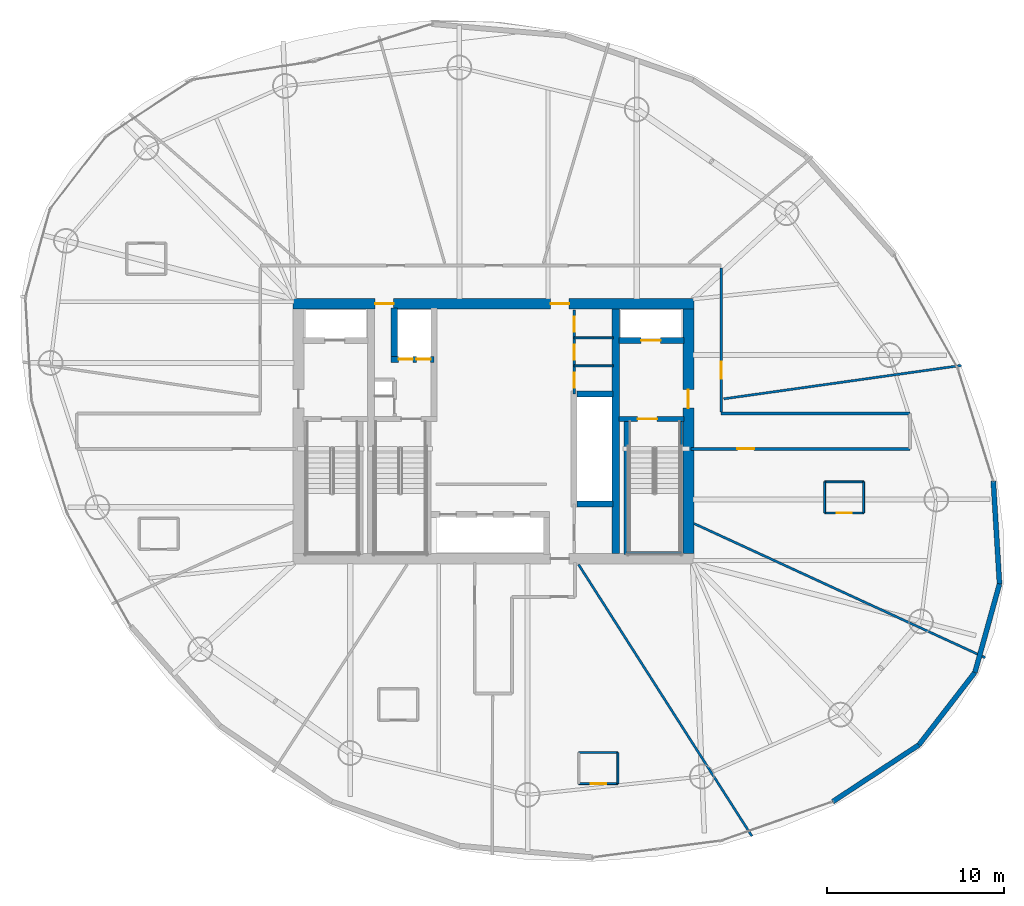
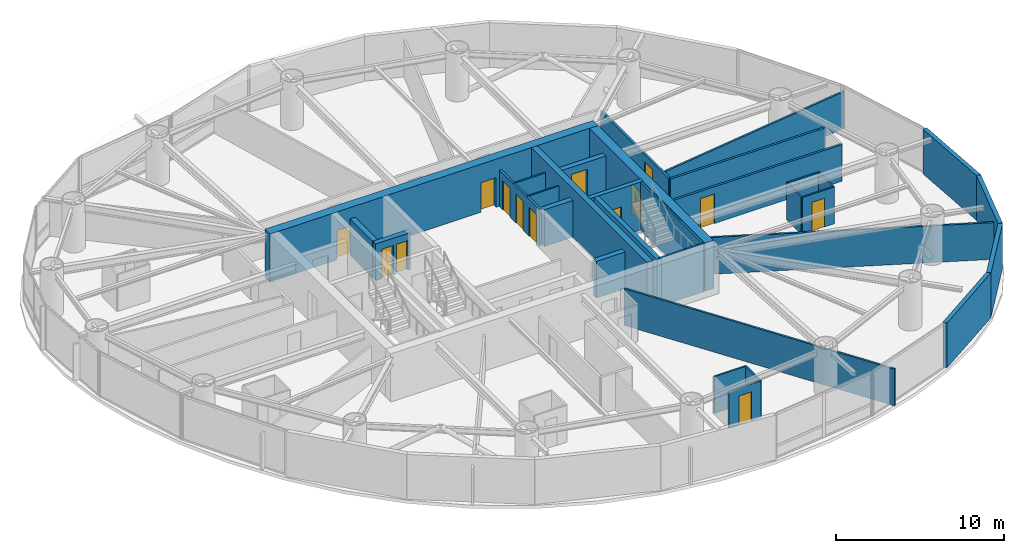
# One storey, part 18 of 22: 32 walls, 14 doors, 14 openings.
"""IFC4 building model written with IfcOpenShell, lengths in metres."""

from ifc_helpers import new_model, si_unit, direction, frame, frame_2d, origin, place, context, subcontext, project, spatial, rectangle, extrude, material, layer, layer_set, type_object, element, fill, save


model = new_model("IFC4")

# Units and contexts
model_context = context("Model", 3, precision=1e-05, world=origin(), true_north=direction((0.0, 1.0)))
body_context = subcontext(model_context, "Body", "Model", "MODEL_VIEW")
ifc_project = project(units=[si_unit("LENGTHUNIT", "METRE"), si_unit("AREAUNIT", "SQUARE_METRE"), si_unit("VOLUMEUNIT", "CUBIC_METRE"), si_unit("PLANEANGLEUNIT", "RADIAN"), si_unit("MASSUNIT", "GRAM", prefix="KILO")], contexts=[model_context])

# Site, building, storey
site_placement = place(None, origin())
site = spatial("IfcSite", under=ifc_project, at=site_placement, CompositionType="ELEMENT")
building_placement = place(site_placement, origin())
building = spatial("IfcBuilding", under=site, at=building_placement, Name="Bramvorn Convention Spire", CompositionType="ELEMENT")
storey_placement = place(building_placement, frame((0.0, 0.0, 137.800048828125)))
storey = spatial("IfcBuildingStorey", under=building, at=storey_placement, Name="L34", CompositionType="ELEMENT", Elevation=137.800048828125)

# Wall, openings, doors
ifc_material_1 = material(Name="Concrete C60/70", Category="concrete")
ifc_layer_1 = layer(ifc_material_1, 0.60009765625)
ifc_layer_set_1 = layer_set([ifc_layer_1], Name="Concrete C60/70 - WL-CORE-600")
wall_type_1 = type_object("IfcWallType", Name="WL-CORE-600", PredefinedType="SHEAR", material=ifc_layer_set_1)
wall_1_placement = place(storey_placement, frame((26.699951171875, 33.199951171875, 0.0), z_axis=(0.0, 0.0, 1.0), x_axis=(1.0, 0.0, 0.0)))
wall_1 = element("IfcWall", 1, at=wall_1_placement, inside=storey, type_object=wall_type_1, Name="L34 North RC core shear wall", PredefinedType="SHEAR", context=body_context, shape_type="SweptSolid", body=[
    extrude(rectangle(XDim=22.60009765625, YDim=0.60009765625, at=frame_2d((11.300048828125, 0.0))), origin(), (0.0, 0.0, 1.0), 3.5),
])
opening_1_placement = place(wall_1_placement, frame((4.6201171875, 0.0, 0.0)))
opening_1 = element("IfcOpeningElement", 2, at=opening_1_placement, cuts=wall_1, Name="Opening DL-105", PredefinedType="OPENING", context=body_context, shape_type="SweptSolid", body=[
    extrude(rectangle(XDim=1.050048828125, YDim=2.14990234375, at=frame_2d((0.52490234375, 1.074951171875))), frame((0.0, 0.31005859375, 0.0), z_axis=(0.0, -1.0, 0.0), x_axis=(1.0, 0.0, 0.0)), (0.0, 0.0, 1.0), 0.6201171875),
])
opening_2_placement = place(wall_1_placement, frame((14.52001953125, 0.0, 0.0)))
opening_2 = element("IfcOpeningElement", 3, at=opening_2_placement, cuts=wall_1, Name="Opening DL-105", PredefinedType="OPENING", context=body_context, shape_type="SweptSolid", body=[
    extrude(rectangle(XDim=1.050048828125, YDim=2.14990234375, at=frame_2d((0.52490234375, 1.074951171875))), frame((0.0, 0.31005859375, 0.0), z_axis=(0.0, -1.0, 0.0), x_axis=(1.0, 0.0, 0.0)), (0.0, 0.0, 1.0), 0.6201171875),
])
ifc_material_2 = material(Name="Smoke-Sealed Fire Lobby Timber-Core Door", Category="wood")
door_type_1 = type_object("IfcDoorType", Name="DR-LOBBY-1050", OperationType="NOTDEFINED", PredefinedType="DOOR", material=ifc_material_2)
door_1_placement = place(opening_1_placement, origin())
door_1 = element("IfcDoor", 4, at=door_1_placement, inside=storey, type_object=door_type_1, Name="L34 Service & Stair ST3 Lobby north corridor door", OperationType="SINGLE_SWING_LEFT", OverallHeight=2.14990234375, OverallWidth=1.050048828125, PredefinedType="DOOR", context=body_context, shape_type="SweptSolid", body=[
    extrude(rectangle(XDim=1.050048828125, YDim=2.14990234375, at=frame_2d((0.52490234375, 1.074951171875))), frame((0.0, 0.02490234375, 0.0), z_axis=(0.0, -1.0, 0.0), x_axis=(1.0, 0.0, 0.0)), (0.0, 0.0, 1.0), 0.050048828125),
])
fill(opening_1, door_1)
door_2_placement = place(opening_2_placement, origin())
door_2 = element("IfcDoor", 5, at=door_2_placement, inside=storey, type_object=door_type_1, Name="L34 North Lift Lobby fire door", OperationType="SINGLE_SWING_LEFT", OverallHeight=2.14990234375, OverallWidth=1.050048828125, PredefinedType="DOOR", context=body_context, shape_type="SweptSolid", body=[
    extrude(rectangle(XDim=1.050048828125, YDim=2.14990234375, at=frame_2d((0.52490234375, 1.074951171875))), frame((0.0, 0.02490234375, 0.0), z_axis=(0.0, -1.0, 0.0), x_axis=(1.0, 0.0, 0.0)), (0.0, 0.0, 1.0), 0.050048828125),
])
fill(opening_2, door_2)

# Wall, opening, door
wall_2_placement = place(storey_placement, frame((49.0, 19.10009765625, 0.0), z_axis=(0.0, 0.0, 1.0), x_axis=(0.0, 1.0, 0.0)))
wall_2 = element("IfcWall", 6, at=wall_2_placement, inside=storey, type_object=wall_type_1, Name="L34 East RC core shear wall", PredefinedType="SHEAR", context=body_context, shape_type="SweptSolid", body=[
    extrude(rectangle(XDim=13.7998046875, YDim=0.60009765625, at=frame_2d((6.89990234375, 0.0))), origin(), (0.0, 0.0, 1.0), 3.5),
])
opening_3_placement = place(wall_2_placement, frame((8.199951171875, 0.0, 0.0)))
opening_3 = element("IfcOpeningElement", 7, at=opening_3_placement, cuts=wall_2, Name="Opening DL-105", PredefinedType="OPENING", context=body_context, shape_type="SweptSolid", body=[
    extrude(rectangle(XDim=1.050048828125, YDim=2.14990234375, at=frame_2d((0.52490234375, 1.074951171875))), frame((0.0, 0.31005859375, 0.0), z_axis=(0.0, -1.0, 0.0), x_axis=(1.0, 0.0, 0.0)), (0.0, 0.0, 1.0), 0.6201171875),
])
door_3_placement = place(opening_3_placement, origin())
door_3 = element("IfcDoor", 8, at=door_3_placement, inside=storey, type_object=door_type_1, Name="L34 East Firefighting Lobby corridor door", OperationType="SINGLE_SWING_LEFT", OverallHeight=2.14990234375, OverallWidth=1.050048828125, PredefinedType="DOOR", context=body_context, shape_type="SweptSolid", body=[
    extrude(rectangle(XDim=1.050048828125, YDim=2.14990234375, at=frame_2d((0.52490234375, 1.074951171875))), frame((0.0, 0.02490234375, 0.0), z_axis=(0.0, -1.0, 0.0), x_axis=(1.0, 0.0, 0.0)), (0.0, 0.0, 1.0), 0.050048828125),
])
fill(opening_3, door_3)

ifc_material_3 = material(Name="Concrete C50/60", Category="concrete")
ifc_layer_2 = layer(ifc_material_3, 0.35009765625)
ifc_layer_set_2 = layer_set([ifc_layer_2], Name="Concrete C50/60 - WL-CORE-INT-350")
wall_type_2 = type_object("IfcWallType", Name="WL-CORE-INT-350", PredefinedType="SHEAR", material=ifc_layer_set_2)
wall_3_placement = place(storey_placement, frame((45.080078125, 31.1201171875, 0.0), z_axis=(0.0, 0.0, 1.0), x_axis=(1.0, 0.0, 0.0)))
wall_3 = element("IfcWall", 9, at=wall_3_placement, inside=storey, type_object=wall_type_2, Name="L34 FE2 shaft front wall", PredefinedType="SHEAR", context=body_context, shape_type="SweptSolid", body=[
    extrude(rectangle(XDim=3.669921875, YDim=0.35009765625, at=frame_2d((1.8349609375, 0.0))), origin(), (0.0, 0.0, 1.0), 2.675048828125),
])
opening_4_placement = place(wall_3_placement, frame((1.25, 0.0, 0.0)))
opening_4 = element("IfcOpeningElement", 10, at=opening_4_placement, cuts=wall_3, Name="Opening LD-110", PredefinedType="OPENING", context=body_context, shape_type="SweptSolid", body=[
    extrude(rectangle(XDim=1.10009765625, YDim=2.14990234375, at=frame_2d((0.550048828125, 1.074951171875))), frame((0.0, 0.18505859375, 0.0), z_axis=(0.0, -1.0, 0.0), x_axis=(1.0, 0.0, 0.0)), (0.0, 0.0, 1.0), 0.3701171875),
])
ifc_material_4 = material(Name="Firefighting & Service Lift Sliding Landing Door", Category="steel")
door_type_2 = type_object("IfcDoorType", Name="DR-LIFT-LD-1100", OperationType="NOTDEFINED", PredefinedType="DOOR", material=ifc_material_4)
door_4_placement = place(opening_4_placement, origin())
door_4 = element("IfcDoor", 11, at=door_4_placement, inside=storey, type_object=door_type_2, Name="L34 Lift FE2 Sliding Landing Door", OperationType="SLIDING_TO_LEFT", OverallHeight=2.14990234375, OverallWidth=1.10009765625, PredefinedType="DOOR", context=body_context, shape_type="SweptSolid", body=[
    extrude(rectangle(XDim=1.10009765625, YDim=2.14990234375, at=frame_2d((0.550048828125, 1.074951171875))), frame((0.0, 0.02490234375, 0.0), z_axis=(0.0, -1.0, 0.0), x_axis=(1.0, 0.0, 0.0)), (0.0, 0.0, 1.0), 0.050048828125),
])
fill(opening_4, door_4)

# Wall, openings, doors
wall_4_placement = place(storey_placement, frame((32.22998046875, 30.050048828125, 0.0), z_axis=(0.0, 0.0, 1.0), x_axis=(1.0, 0.0, 0.0)))
wall_4 = element("IfcWall", 12, at=wall_4_placement, inside=storey, type_object=wall_type_2, Name="L34 SV1/SV2 shaft front wall", PredefinedType="SHEAR", context=body_context, shape_type="SweptSolid", body=[
    extrude(rectangle(XDim=2.409912109375, YDim=0.35009765625, at=frame_2d((1.205078125, 0.0))), origin(), (0.0, 0.0, 1.0), 2.675048828125),
])
opening_5_placement = place(wall_4_placement, frame((0.419921875, 0.0, 0.0)))
opening_5 = element("IfcOpeningElement", 13, at=opening_5_placement, cuts=wall_4, Name="Opening LD-080", PredefinedType="OPENING", context=body_context, shape_type="SweptSolid", body=[
    extrude(rectangle(XDim=0.800048828125, YDim=2.14990234375, at=frame_2d((0.39990234375, 1.074951171875))), frame((0.0, 0.18505859375, 0.0), z_axis=(0.0, -1.0, 0.0), x_axis=(1.0, 0.0, 0.0)), (0.0, 0.0, 1.0), 0.3701171875),
])
opening_6_placement = place(wall_4_placement, frame((1.419921875, 0.0, 0.0)))
opening_6 = element("IfcOpeningElement", 14, at=opening_6_placement, cuts=wall_4, Name="Opening LD-080", PredefinedType="OPENING", context=body_context, shape_type="SweptSolid", body=[
    extrude(rectangle(XDim=0.800048828125, YDim=2.14990234375, at=frame_2d((0.39990234375, 1.074951171875))), frame((0.0, 0.18505859375, 0.0), z_axis=(0.0, -1.0, 0.0), x_axis=(1.0, 0.0, 0.0)), (0.0, 0.0, 1.0), 0.3701171875),
])
ifc_material_5 = material(Name="Service Lift Bi-Parting Landing Door", Category="steel")
door_type_3 = type_object("IfcDoorType", Name="DR-LIFT-LD-800", OperationType="NOTDEFINED", PredefinedType="DOOR", material=ifc_material_5)
door_5_placement = place(opening_5_placement, origin())
door_5 = element("IfcDoor", 15, at=door_5_placement, inside=storey, type_object=door_type_3, Name="L34 Lift SV1 Sliding Landing Door", OperationType="SLIDING_TO_LEFT", OverallHeight=2.14990234375, OverallWidth=0.800048828125, PredefinedType="DOOR", context=body_context, shape_type="SweptSolid", body=[
    extrude(rectangle(XDim=0.800048828125, YDim=2.14990234375, at=frame_2d((0.39990234375, 1.074951171875))), frame((0.0, 0.02490234375, 0.0), z_axis=(0.0, -1.0, 0.0), x_axis=(1.0, 0.0, 0.0)), (0.0, 0.0, 1.0), 0.050048828125),
])
fill(opening_5, door_5)
door_6_placement = place(opening_6_placement, origin())
door_6 = element("IfcDoor", 16, at=door_6_placement, inside=storey, type_object=door_type_3, Name="L34 Lift SV2 Sliding Landing Door", OperationType="SLIDING_TO_LEFT", OverallHeight=2.14990234375, OverallWidth=0.800048828125, PredefinedType="DOOR", context=body_context, shape_type="SweptSolid", body=[
    extrude(rectangle(XDim=0.800048828125, YDim=2.14990234375, at=frame_2d((0.39990234375, 1.074951171875))), frame((0.0, 0.02490234375, 0.0), z_axis=(0.0, -1.0, 0.0), x_axis=(1.0, 0.0, 0.0)), (0.0, 0.0, 1.0), 0.050048828125),
])
fill(opening_6, door_6)

# Walls
wall_5_placement = place(storey_placement, frame((32.39990234375, 30.219970703125, 0.0), z_axis=(0.0, 0.0, 1.0), x_axis=(0.0, 1.0, 0.0)))
element("IfcWall", 17, at=wall_5_placement, inside=storey, type_object=wall_type_2, Name="L34 SV1 west hoistway wall", PredefinedType="SHEAR", context=body_context, shape_type="SweptSolid", body=[
    extrude(rectangle(XDim=2.72998046875, YDim=0.35009765625, at=frame_2d((1.364990234375, 0.0))), origin(), (0.0, 0.0, 1.0), 2.675048828125),
])
for number, where, z_axis, x_axis, name in (
    (18, (42.719970703125, 21.89990234375, 0.0), (0.0, 0.0, 1.0), (1.0, 0.0, 0.0), "L34 High-rise lift bank south wall"),
    (19, (42.719970703125, 28.10009765625, 0.0), (0.0, 0.0, 1.0), (1.0, 0.0, 0.0), "L34 High-rise lift bank north wall"),
):
    element("IfcWall", number, at=place(storey_placement, frame(where, z_axis=z_axis, x_axis=x_axis)), inside=storey, type_object=wall_type_2, Name=name, PredefinedType="SHEAR", context=body_context, shape_type="SweptSolid", body=[
        extrude(rectangle(XDim=2.030029296875, YDim=0.35009765625, at=frame_2d((1.01513671875, 0.0))), origin(), (0.0, 0.0, 1.0), 2.675048828125),
    ])
ifc_layer_3 = layer(ifc_material_1, 0.39990234375)
ifc_layer_set_3 = layer_set([ifc_layer_3], Name="Concrete C60/70 - WL-CORE-INT-400")
wall_type_3 = type_object("IfcWallType", Name="WL-CORE-INT-400", PredefinedType="SHEAR", material=ifc_layer_set_3)
wall_6_placement = place(storey_placement, frame((44.89990234375, 19.10009765625, 0.0), z_axis=(0.0, 0.0, 1.0), x_axis=(0.0, 1.0, 0.0)))
element("IfcWall", 20, at=wall_6_placement, inside=storey, type_object=wall_type_3, Name="L34 East internal core shear web", PredefinedType="SHEAR", context=body_context, shape_type="SweptSolid", body=[
    extrude(rectangle(XDim=13.7998046875, YDim=0.39990234375, at=frame_2d((6.89990234375, 0.0))), origin(), (0.0, 0.0, 1.0), 3.5),
])
ifc_material_6 = material(Name="Precast Concrete C40/50 with Bronze Terracotta Rainscreen", Category="masonry")
ifc_layer_4 = layer(ifc_material_6, 0.300048828125)
ifc_layer_set_4 = layer_set([ifc_layer_4], Name="Precast Concrete C40/50 with Bronze Terracotta Rainscreen - WL-EXT-BRONZE-300")
wall_type_4 = type_object("IfcWallType", Name="WL-EXT-BRONZE-300", PredefinedType="SOLIDWALL", material=ifc_layer_set_4)
wall_7_placement = place(storey_placement, frame((66.549072265625, 17.3828125, 0.0), z_axis=(0.0, 0.0, 1.0), x_axis=(-0.267621962154, -0.963523993149, 0.0)))
element("IfcWall", 21, at=wall_7_placement, inside=storey, type_object=wall_type_4, Name="L34 expressed bronze Gothic lancet pier wall 01", PredefinedType="SOLIDWALL", context=body_context, shape_type="SweptSolid", body=[
    extrude(rectangle(XDim=5.17431640625, YDim=0.280029296875, at=frame_2d((2.587158203125, 0.0))), origin(), (0.0, 0.0, 1.0), 3.260009765625),
])
wall_8_placement = place(storey_placement, frame((66.199462890625, 23.19482421875, 0.0), z_axis=(0.0, 0.0, 1.0), x_axis=(0.060044369296, -0.998195709125, 0.0)))
element("IfcWall", 22, at=wall_8_placement, inside=storey, type_object=wall_type_4, Name="L34 expressed bronze Gothic lancet pier wall 02", PredefinedType="SOLIDWALL", context=body_context, shape_type="SweptSolid", body=[
    extrude(rectangle(XDim=5.822509765625, YDim=0.280029296875, at=frame_2d((2.9111328125, 0.0))), origin(), (0.0, 0.0, 1.0), 3.260009765625),
])
wall_9_placement = place(storey_placement, frame((62.001708984375, 8.3017578125, 0.0), z_axis=(0.0, 0.0, 1.0), x_axis=(-0.8352615134, -0.549852893265, 0.0)))
element("IfcWall", 23, at=wall_9_placement, inside=storey, type_object=wall_type_4, Name="L34 expressed bronze Gothic lancet pier wall 23", PredefinedType="SOLIDWALL", context=body_context, shape_type="SweptSolid", body=[
    extrude(rectangle(XDim=5.82275390625, YDim=0.280029296875, at=frame_2d((2.911376953125, 0.0))), origin(), (0.0, 0.0, 1.0), 3.260009765625),
])
wall_10_placement = place(storey_placement, frame((65.164306640625, 12.397216796875, 0.0), z_axis=(0.0, 0.0, 1.0), x_axis=(-0.611196361644, -0.791479000045, 0.0)))
element("IfcWall", 24, at=wall_10_placement, inside=storey, type_object=wall_type_4, Name="L34 expressed bronze Gothic lancet pier wall 24", PredefinedType="SOLIDWALL", context=body_context, shape_type="SweptSolid", body=[
    extrude(rectangle(XDim=5.17431640625, YDim=0.280029296875, at=frame_2d((2.587158203125, 0.0))), origin(), (0.0, 0.0, 1.0), 3.260009765625),
])
ifc_material_7 = material(Name="Lightweight En-Suite & Wet-Wall Partition", Category="gypsum")
ifc_layer_5 = layer(ifc_material_7, 0.110107421875)
ifc_layer_set_5 = layer_set([ifc_layer_5], Name="Lightweight En-Suite & Wet-Wall Partition - WL-PART-110")
wall_type_5 = type_object("IfcWallType", Name="WL-PART-110", PredefinedType="PARTITIONING", material=ifc_layer_set_5)
for number, where, z_axis, x_axis, name in (
    (25, (42.550048828125, 29.679931640625, 0.0), (0.0, 0.0, 1.0), (1.0, 0.0, 0.0), "L34 KC NE div 1"),
    (26, (42.550048828125, 31.260009765625, 0.0), (0.0, 0.0, 1.0), (1.0, 0.0, 0.0), "L34 KC NE div 2"),
):
    element("IfcWall", number, at=place(storey_placement, frame(where, z_axis=z_axis, x_axis=x_axis)), inside=storey, type_object=wall_type_5, Name=name, PredefinedType="PARTITIONING", context=body_context, shape_type="SweptSolid", body=[
        extrude(rectangle(XDim=2.199951171875, YDim=0.110107421875, at=frame_2d((1.10009765625, 0.0))), origin(), (0.0, 0.0, 1.0), 2.675048828125),
    ])

# Wall, opening, door
wall_11_placement = place(storey_placement, frame((42.822998046875, 6.11328125, 0.0), z_axis=(0.0, 0.0, 1.0), x_axis=(1.0, 0.0, 0.0)))
wall_11 = element("IfcWall", 27, at=wall_11_placement, inside=storey, type_object=wall_type_5, Name="Hotel Suite 3409 en-suite south wall", PredefinedType="PARTITIONING", context=body_context, shape_type="SweptSolid", body=[
    extrude(rectangle(XDim=2.199951171875, YDim=0.110107421875, at=frame_2d((1.10009765625, 0.0))), origin(), (0.0, 0.0, 1.0), 2.675048828125),
])
opening_7_placement = place(wall_11_placement, frame((0.679931640625, 0.0, 0.0)))
opening_7 = element("IfcOpeningElement", 28, at=opening_7_placement, cuts=wall_11, Name="Opening DI-085", PredefinedType="OPENING", context=body_context, shape_type="SweptSolid", body=[
    extrude(rectangle(XDim=0.85009765625, YDim=2.10009765625, at=frame_2d((0.425048828125, 1.050048828125))), frame((0.0, 0.06494140625, 0.0), z_axis=(0.0, -1.0, 0.0), x_axis=(1.0, 0.0, 0.0)), (0.0, 0.0, 1.0), 0.130126953125),
])
ifc_material_8 = material(Name="En-Suite & Restroom Privacy Door", Category="wood")
door_type_4 = type_object("IfcDoorType", Name="DR-INT-850", OperationType="NOTDEFINED", PredefinedType="DOOR", material=ifc_material_8)
door_7_placement = place(opening_7_placement, origin())
door_7 = element("IfcDoor", 29, at=door_7_placement, inside=storey, type_object=door_type_4, Name="Hotel Suite 3409 En-Suite Bathroom door", OperationType="SINGLE_SWING_LEFT", OverallHeight=2.10009765625, OverallWidth=0.85009765625, PredefinedType="DOOR", context=body_context, shape_type="SweptSolid", body=[
    extrude(rectangle(XDim=0.85009765625, YDim=2.10009765625, at=frame_2d((0.425048828125, 1.050048828125))), frame((0.0, 0.02490234375, 0.0), z_axis=(0.0, -1.0, 0.0), x_axis=(1.0, 0.0, 0.0)), (0.0, 0.0, 1.0), 0.050048828125),
])
fill(opening_7, door_7)

# Walls
wall_12_placement = place(storey_placement, frame((42.822998046875, 7.873291015625, 0.0), z_axis=(0.0, 0.0, 1.0), x_axis=(1.0, 0.0, 0.0)))
element("IfcWall", 30, at=wall_12_placement, inside=storey, type_object=wall_type_5, Name="Hotel Suite 3409 en-suite north wall", PredefinedType="PARTITIONING", context=body_context, shape_type="SweptSolid", body=[
    extrude(rectangle(XDim=2.199951171875, YDim=0.110107421875, at=frame_2d((1.10009765625, 0.0))), origin(), (0.0, 0.0, 1.0), 2.675048828125),
])
wall_13_placement = place(storey_placement, frame((45.02294921875, 6.11328125, 0.0), z_axis=(0.0, 0.0, 1.0), x_axis=(0.0, 1.0, 0.0)))
element("IfcWall", 31, at=wall_13_placement, inside=storey, type_object=wall_type_5, Name="Hotel Suite 3409 en-suite east wall", PredefinedType="PARTITIONING", context=body_context, shape_type="SweptSolid", body=[
    extrude(rectangle(XDim=1.760009765625, YDim=0.110107421875, at=frame_2d((0.8798828125, 0.0))), origin(), (0.0, 0.0, 1.0), 2.675048828125),
])

# Wall, opening, door
wall_14_placement = place(storey_placement, frame((56.684814453125, 21.385986328125, 0.0), z_axis=(0.0, 0.0, 1.0), x_axis=(1.0, 0.0, 0.0)))
wall_14 = element("IfcWall", 32, at=wall_14_placement, inside=storey, type_object=wall_type_5, Name="Hotel Suite 3411 en-suite south wall", PredefinedType="PARTITIONING", context=body_context, shape_type="SweptSolid", body=[
    extrude(rectangle(XDim=2.2001953125, YDim=0.110107421875, at=frame_2d((1.10009765625, 0.0))), origin(), (0.0, 0.0, 1.0), 2.675048828125),
])
opening_8_placement = place(wall_14_placement, frame((0.679931640625, 0.0, 0.0)))
opening_8 = element("IfcOpeningElement", 33, at=opening_8_placement, cuts=wall_14, Name="Opening DI-085", PredefinedType="OPENING", context=body_context, shape_type="SweptSolid", body=[
    extrude(rectangle(XDim=0.85009765625, YDim=2.10009765625, at=frame_2d((0.425048828125, 1.050048828125))), frame((0.0, 0.06494140625, 0.0), z_axis=(0.0, -1.0, 0.0), x_axis=(1.0, 0.0, 0.0)), (0.0, 0.0, 1.0), 0.130126953125),
])
door_8_placement = place(opening_8_placement, origin())
door_8 = element("IfcDoor", 34, at=door_8_placement, inside=storey, type_object=door_type_4, Name="Hotel Suite 3411 En-Suite Bathroom door", OperationType="SINGLE_SWING_LEFT", OverallHeight=2.10009765625, OverallWidth=0.85009765625, PredefinedType="DOOR", context=body_context, shape_type="SweptSolid", body=[
    extrude(rectangle(XDim=0.85009765625, YDim=2.10009765625, at=frame_2d((0.425048828125, 1.050048828125))), frame((0.0, 0.02490234375, 0.0), z_axis=(0.0, -1.0, 0.0), x_axis=(1.0, 0.0, 0.0)), (0.0, 0.0, 1.0), 0.050048828125),
])
fill(opening_8, door_8)

# Walls
wall_15_placement = place(storey_placement, frame((56.684814453125, 23.14599609375, 0.0), z_axis=(0.0, 0.0, 1.0), x_axis=(1.0, 0.0, 0.0)))
element("IfcWall", 35, at=wall_15_placement, inside=storey, type_object=wall_type_5, Name="Hotel Suite 3411 en-suite north wall", PredefinedType="PARTITIONING", context=body_context, shape_type="SweptSolid", body=[
    extrude(rectangle(XDim=2.2001953125, YDim=0.110107421875, at=frame_2d((1.10009765625, 0.0))), origin(), (0.0, 0.0, 1.0), 2.675048828125),
])
for number, where, z_axis, x_axis, name in (
    (36, (56.684814453125, 21.385986328125, 0.0), (0.0, 0.0, 1.0), (0.0, 1.0, 0.0), "Hotel Suite 3411 en-suite west wall"),
    (37, (58.885009765625, 21.385986328125, 0.0), (0.0, 0.0, 1.0), (0.0, 1.0, 0.0), "Hotel Suite 3411 en-suite east wall"),
):
    element("IfcWall", number, at=place(storey_placement, frame(where, z_axis=z_axis, x_axis=x_axis)), inside=storey, type_object=wall_type_5, Name=name, PredefinedType="PARTITIONING", context=body_context, shape_type="SweptSolid", body=[
        extrude(rectangle(XDim=1.760009765625, YDim=0.110107421875, at=frame_2d((0.8798828125, 0.0))), origin(), (0.0, 0.0, 1.0), 2.675048828125),
    ])
ifc_material_9 = material(Name="Metal-Stud Demountable Office Partition", Category="gypsum")
ifc_layer_6 = layer(ifc_material_9, 0.1298828125)
ifc_layer_set_6 = layer_set([ifc_layer_6], Name="Metal-Stud Demountable Office Partition - WL-PART-130")
wall_type_6 = type_object("IfcWallType", Name="WL-PART-130", PredefinedType="PARTITIONING", material=ifc_layer_set_6)
wall_16_placement = place(storey_placement, frame((50.989990234375, 27.82568359375, 0.0), z_axis=(0.0, 0.0, 1.0), x_axis=(0.990267262421, 0.13917883811, 0.0)))
element("IfcWall", 38, at=wall_16_placement, inside=storey, type_object=wall_type_6, Name="L34 Guestroom demising wall 1", PredefinedType="PARTITIONING", context=body_context, shape_type="SweptSolid", body=[
    extrude(rectangle(XDim=13.536865234375, YDim=0.1298828125, at=frame_2d((6.7685546875, 0.0))), origin(), (0.0, 0.0, 1.0), 2.675048828125),
])
wall_17_placement = place(storey_placement, frame((42.79931640625, 18.47998046875, 0.0), z_axis=(0.0, 0.0, 1.0), x_axis=(0.537969305378, -0.842964427762, 0.0)))
element("IfcWall", 39, at=wall_17_placement, inside=storey, type_object=wall_type_6, Name="L34 Guestroom demising wall 10", PredefinedType="PARTITIONING", context=body_context, shape_type="SweptSolid", body=[
    extrude(rectangle(XDim=18.18994140625, YDim=0.1298828125, at=frame_2d((9.094970703125, 0.0))), origin(), (0.0, 0.0, 1.0), 2.675048828125),
])
wall_18_placement = place(storey_placement, frame((49.320068359375, 20.786865234375, 0.0), z_axis=(0.0, 0.0, 1.0), x_axis=(0.90831109322, -0.418295299918, 0.0)))
element("IfcWall", 40, at=wall_18_placement, inside=storey, type_object=wall_type_6, Name="L34 Guestroom demising wall 11", PredefinedType="PARTITIONING", context=body_context, shape_type="SweptSolid", body=[
    extrude(rectangle(XDim=18.085693359375, YDim=0.1298828125, at=frame_2d((9.04296875, 0.0))), origin(), (0.0, 0.0, 1.0), 2.675048828125),
])

# Wall, openings, doors
ifc_material_10 = material(Name="Acoustic Metal-Stud Tenant/Corridor Partition", Category="gypsum")
ifc_layer_7 = layer(ifc_material_10, 0.14990234375)
ifc_layer_set_7 = layer_set([ifc_layer_7], Name="Acoustic Metal-Stud Tenant/Corridor Partition - WL-PART-150")
wall_type_7 = type_object("IfcWallType", Name="WL-PART-150", PredefinedType="PARTITIONING", material=ifc_layer_set_7)
wall_19_placement = place(storey_placement, frame((42.550048828125, 28.10009765625, 0.0), z_axis=(0.0, 0.0, 1.0), x_axis=(0.0, 1.0, 0.0)))
wall_19 = element("IfcWall", 41, at=wall_19_placement, inside=storey, type_object=wall_type_7, Name="L34 KC NE wall", PredefinedType="PARTITIONING", context=body_context, shape_type="SweptSolid", body=[
    extrude(rectangle(XDim=4.75, YDim=0.14990234375, at=frame_2d((2.375, 0.0))), origin(), (0.0, 0.0, 1.0), 2.675048828125),
])
opening_9_placement = place(wall_19_placement, frame((0.35009765625, 0.0, 0.0)))
opening_9 = element("IfcOpeningElement", 42, at=opening_9_placement, cuts=wall_19, Name="Opening DC-085", PredefinedType="OPENING", context=body_context, shape_type="SweptSolid", body=[
    extrude(rectangle(XDim=0.85009765625, YDim=2.10009765625, at=frame_2d((0.425048828125, 1.050048828125))), frame((0.0, 0.0849609375, 0.0), z_axis=(0.0, -1.0, 0.0), x_axis=(1.0, 0.0, 0.0)), (0.0, 0.0, 1.0), 0.169921875),
])
opening_10_placement = place(wall_19_placement, frame((1.929931640625, 0.0, 0.0)))
opening_10 = element("IfcOpeningElement", 43, at=opening_10_placement, cuts=wall_19, Name="Opening DC-085", PredefinedType="OPENING", context=body_context, shape_type="SweptSolid", body=[
    extrude(rectangle(XDim=0.85009765625, YDim=2.10009765625, at=frame_2d((0.425048828125, 1.050048828125))), frame((0.0, 0.0849609375, 0.0), z_axis=(0.0, -1.0, 0.0), x_axis=(1.0, 0.0, 0.0)), (0.0, 0.0, 1.0), 0.169921875),
])
opening_11_placement = place(wall_19_placement, frame((3.510009765625, 0.0, 0.0)))
opening_11 = element("IfcOpeningElement", 44, at=opening_11_placement, cuts=wall_19, Name="Opening DC-085", PredefinedType="OPENING", context=body_context, shape_type="SweptSolid", body=[
    extrude(rectangle(XDim=0.85009765625, YDim=2.10009765625, at=frame_2d((0.425048828125, 1.050048828125))), frame((0.0, 0.0849609375, 0.0), z_axis=(0.0, -1.0, 0.0), x_axis=(1.0, 0.0, 0.0)), (0.0, 0.0, 1.0), 0.169921875),
])
ifc_material_11 = material(Name="Fire-Rated Core Washroom & IDF Door", Category="wood")
door_type_5 = type_object("IfcDoorType", Name="DR-CORE-850", OperationType="NOTDEFINED", PredefinedType="DOOR", material=ifc_material_11)
door_9_placement = place(opening_9_placement, origin())
door_9 = element("IfcDoor", 45, at=door_9_placement, inside=storey, type_object=door_type_5, Name="L34 Accessible Core Restroom door", OperationType="SINGLE_SWING_LEFT", OverallHeight=2.10009765625, OverallWidth=0.85009765625, PredefinedType="DOOR", context=body_context, shape_type="SweptSolid", body=[
    extrude(rectangle(XDim=0.85009765625, YDim=2.10009765625, at=frame_2d((0.425048828125, 1.050048828125))), frame((0.0, 0.02490234375, 0.0), z_axis=(0.0, -1.0, 0.0), x_axis=(1.0, 0.0, 0.0)), (0.0, 0.0, 1.0), 0.050048828125),
])
fill(opening_9, door_9)
door_10_placement = place(opening_10_placement, origin())
door_10 = element("IfcDoor", 46, at=door_10_placement, inside=storey, type_object=door_type_5, Name="L34 Floor Housekeeping & Linen Store door", OperationType="SINGLE_SWING_LEFT", OverallHeight=2.10009765625, OverallWidth=0.85009765625, PredefinedType="DOOR", context=body_context, shape_type="SweptSolid", body=[
    extrude(rectangle(XDim=0.85009765625, YDim=2.10009765625, at=frame_2d((0.425048828125, 1.050048828125))), frame((0.0, 0.02490234375, 0.0), z_axis=(0.0, -1.0, 0.0), x_axis=(1.0, 0.0, 0.0)), (0.0, 0.0, 1.0), 0.050048828125),
])
fill(opening_10, door_10)
door_11_placement = place(opening_11_placement, origin())
door_11 = element("IfcDoor", 47, at=door_11_placement, inside=storey, type_object=door_type_5, Name="L34 Core Comms Closet door", OperationType="SINGLE_SWING_LEFT", OverallHeight=2.10009765625, OverallWidth=0.85009765625, PredefinedType="DOOR", context=body_context, shape_type="SweptSolid", body=[
    extrude(rectangle(XDim=0.85009765625, YDim=2.10009765625, at=frame_2d((0.425048828125, 1.050048828125))), frame((0.0, 0.02490234375, 0.0), z_axis=(0.0, -1.0, 0.0), x_axis=(1.0, 0.0, 0.0)), (0.0, 0.0, 1.0), 0.050048828125),
])
fill(opening_11, door_11)

# Wall, opening, door
wall_20_placement = place(storey_placement, frame((50.85009765625, 27.080078125, 0.0), z_axis=(0.0, 0.0, 1.0), x_axis=(0.0, 1.0, 0.0)))
wall_20 = element("IfcWall", 48, at=wall_20_placement, inside=storey, type_object=wall_type_7, Name="L34 NE gallery cheek", PredefinedType="PARTITIONING", context=body_context, shape_type="SweptSolid", body=[
    extrude(rectangle(XDim=8.119873046875, YDim=0.14990234375, at=frame_2d((4.06005859375, 0.0))), origin(), (0.0, 0.0, 1.0), 2.675048828125),
])
opening_12_placement = place(wall_20_placement, frame((1.889892578125, 0.0, 0.0)))
opening_12 = element("IfcOpeningElement", 49, at=opening_12_placement, cuts=wall_20, Name="Opening DH-095", PredefinedType="OPENING", context=body_context, shape_type="SweptSolid", body=[
    extrude(rectangle(XDim=0.949951171875, YDim=2.14990234375, at=frame_2d((0.47509765625, 1.074951171875))), frame((0.0, 0.0849609375, 0.0), z_axis=(0.0, -1.0, 0.0), x_axis=(1.0, 0.0, 0.0)), (0.0, 0.0, 1.0), 0.169921875),
])
ifc_material_12 = material(Name="Solid-Core Acoustic Guestroom Entry Door", Category="wood")
door_type_6 = type_object("IfcDoorType", Name="DR-HOTEL-950", OperationType="NOTDEFINED", PredefinedType="DOOR", material=ifc_material_12)
door_12_placement = place(opening_12_placement, origin())
door_12 = element("IfcDoor", 50, at=door_12_placement, inside=storey, type_object=door_type_6, Name="L34 Hospitality Lounge 1 door", OperationType="SINGLE_SWING_LEFT", OverallHeight=2.14990234375, OverallWidth=0.949951171875, PredefinedType="DOOR", context=body_context, shape_type="SweptSolid", body=[
    extrude(rectangle(XDim=0.949951171875, YDim=2.14990234375, at=frame_2d((0.47509765625, 1.074951171875))), frame((0.0, 0.02490234375, 0.0), z_axis=(0.0, -1.0, 0.0), x_axis=(1.0, 0.0, 0.0)), (0.0, 0.0, 1.0), 0.050048828125),
])
fill(opening_12, door_12)

# Wall
wall_21_placement = place(storey_placement, frame((50.85009765625, 27.0, 0.0), z_axis=(0.0, 0.0, 1.0), x_axis=(1.0, 0.0, 0.0)))
element("IfcWall", 51, at=wall_21_placement, inside=storey, type_object=wall_type_7, Name="L34 East wing spine north wall", PredefinedType="PARTITIONING", context=body_context, shape_type="SweptSolid", body=[
    extrude(rectangle(XDim=10.64990234375, YDim=0.14990234375, at=frame_2d((5.324951171875, 0.0))), origin(), (0.0, 0.0, 1.0), 2.675048828125),
])

# Wall, opening, door
wall_22_placement = place(storey_placement, frame((49.14990234375, 25.0, 0.0), z_axis=(0.0, 0.0, 1.0), x_axis=(1.0, 0.0, 0.0)))
wall_22 = element("IfcWall", 52, at=wall_22_placement, inside=storey, type_object=wall_type_7, Name="L34 East wing spine south wall", PredefinedType="PARTITIONING", context=body_context, shape_type="SweptSolid", body=[
    extrude(rectangle(XDim=12.35009765625, YDim=0.14990234375, at=frame_2d((6.175048828125, 0.0))), origin(), (0.0, 0.0, 1.0), 2.675048828125),
])
opening_13_placement = place(wall_22_placement, frame((2.612548828125, 0.0, 0.0)))
opening_13 = element("IfcOpeningElement", 53, at=opening_13_placement, cuts=wall_22, Name="Opening DH-095", PredefinedType="OPENING", context=body_context, shape_type="SweptSolid", body=[
    extrude(rectangle(XDim=0.949951171875, YDim=2.14990234375, at=frame_2d((0.47509765625, 1.074951171875))), frame((0.0, 0.0849609375, 0.0), z_axis=(0.0, -1.0, 0.0), x_axis=(1.0, 0.0, 0.0)), (0.0, 0.0, 1.0), 0.169921875),
])
door_13_placement = place(opening_13_placement, origin())
door_13 = element("IfcDoor", 54, at=door_13_placement, inside=storey, type_object=door_type_6, Name="Hotel Suite 3411 entry door", OperationType="SINGLE_SWING_RIGHT", OverallHeight=2.14990234375, OverallWidth=0.949951171875, PredefinedType="DOOR", context=body_context, shape_type="SweptSolid", body=[
    extrude(rectangle(XDim=0.949951171875, YDim=2.14990234375, at=frame_2d((0.47509765625, 1.074951171875))), frame((0.0, 0.02490234375, 0.0), z_axis=(0.0, -1.0, 0.0), x_axis=(1.0, 0.0, 0.0)), (0.0, 0.0, 1.0), 0.050048828125),
])
fill(opening_13, door_13)

ifc_layer_8 = layer(ifc_material_3, 0.300048828125)
ifc_layer_set_8 = layer_set([ifc_layer_8], Name="Concrete C50/60 - WL-POD-STAIR-300")
wall_type_8 = type_object("IfcWallType", Name="WL-POD-STAIR-300", PredefinedType="SHEAR", material=ifc_layer_set_8)
wall_23_placement = place(storey_placement, frame((45.080078125, 26.68994140625, 0.0), z_axis=(0.0, 0.0, 1.0), x_axis=(1.0, 0.0, 0.0)))
wall_23 = element("IfcWall", 55, at=wall_23_placement, inside=storey, type_object=wall_type_8, Name="L34 ST2 north fire wall", PredefinedType="SHEAR", context=body_context, shape_type="SweptSolid", body=[
    extrude(rectangle(XDim=3.669921875, YDim=0.300048828125, at=frame_2d((1.8349609375, 0.0))), origin(), (0.0, 0.0, 1.0), 3.5),
])
opening_14_placement = place(wall_23_placement, frame((1.050048828125, 0.0, 0.0)))
opening_14 = element("IfcOpeningElement", 56, at=opening_14_placement, cuts=wall_23, Name="Opening DS-110", PredefinedType="OPENING", context=body_context, shape_type="SweptSolid", body=[
    extrude(rectangle(XDim=1.10009765625, YDim=2.14990234375, at=frame_2d((0.550048828125, 1.074951171875))), frame((0.0, 0.159912109375, 0.0), z_axis=(0.0, -1.0, 0.0), x_axis=(1.0, 0.0, 0.0)), (0.0, 0.0, 1.0), 0.320068359375),
])
ifc_material_13 = material(Name="Fire-Rated Hollow Steel Stairwell Door", Category="steel")
door_type_7 = type_object("IfcDoorType", Name="DR-STAIR-1100", OperationType="NOTDEFINED", PredefinedType="DOOR", material=ifc_material_13)
door_14_placement = place(opening_14_placement, origin())
door_14 = element("IfcDoor", 57, at=door_14_placement, inside=storey, type_object=door_type_7, Name="L34 Stair ST2 fire door", OperationType="SINGLE_SWING_RIGHT", OverallHeight=2.14990234375, OverallWidth=1.10009765625, PredefinedType="DOOR", context=body_context, shape_type="SweptSolid", body=[
    extrude(rectangle(XDim=1.10009765625, YDim=2.14990234375, at=frame_2d((0.550048828125, 1.074951171875))), frame((0.0, 0.02490234375, 0.0), z_axis=(0.0, -1.0, 0.0), x_axis=(1.0, 0.0, 0.0)), (0.0, 0.0, 1.0), 0.050048828125),
])
fill(opening_14, door_14)

# Walls
wall_24_placement = place(storey_placement, frame((45.510009765625, 19.050048828125, 0.0), z_axis=(0.0, 0.0, 1.0), x_axis=(0.0, 1.0, 0.0)))
element("IfcWall", 58, at=wall_24_placement, inside=storey, type_object=wall_type_8, Name="L34 ST2 west bearing wall", PredefinedType="SHEAR", context=body_context, shape_type="SweptSolid", body=[
    extrude(rectangle(XDim=7.5, YDim=0.300048828125, at=frame_2d((3.75, 0.0))), origin(), (0.0, 0.0, 1.0), 3.5),
])
ifc_layer_9 = layer(ifc_material_3, 0.1201171875)
ifc_layer_set_9 = layer_set([ifc_layer_9], Name="Concrete C50/60 - WL-STAIR-RC-120")
wall_type_9 = type_object("IfcWallType", Name="WL-STAIR-RC-120", PredefinedType="SHEAR", material=ifc_layer_set_9)
wall_25_placement = place(storey_placement, frame((48.60498046875, 19.10009765625, 0.0), z_axis=(0.0, 0.0, 1.0), x_axis=(0.0, 1.0, 0.0)))
element("IfcWall", 59, at=wall_25_placement, inside=storey, type_object=wall_type_9, Name="L34 ST2 east bearing shear wall", PredefinedType="SHEAR", context=body_context, shape_type="SweptSolid", body=[
    extrude(rectangle(XDim=7.449951171875, YDim=0.1201171875, at=frame_2d((3.72509765625, 0.0))), origin(), (0.0, 0.0, 1.0), 3.5),
])
wall_26_placement = place(storey_placement, frame((45.510009765625, 19.159912109375, 0.0), z_axis=(0.0, 0.0, 1.0), x_axis=(1.0, 0.0, 0.0)))
element("IfcWall", 60, at=wall_26_placement, inside=storey, type_object=wall_type_9, Name="L34 ST2 south bearing shear wall", PredefinedType="SHEAR", context=body_context, shape_type="SweptSolid", body=[
    extrude(rectangle(XDim=3.094970703125, YDim=0.1201171875, at=frame_2d((1.54736328125, 0.0))), origin(), (0.0, 0.0, 1.0), 3.5),
])

save(model, "model.ifc")
